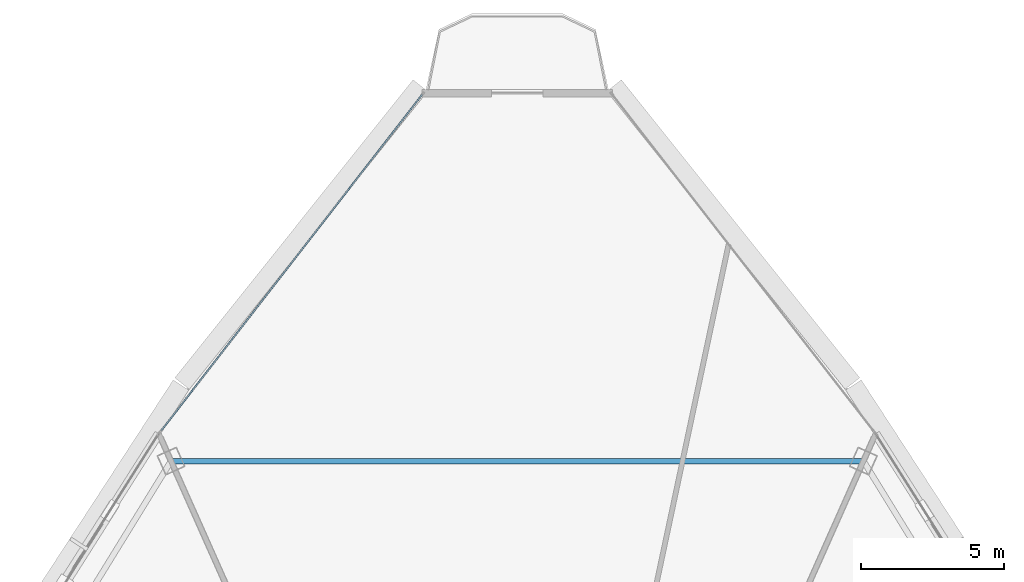
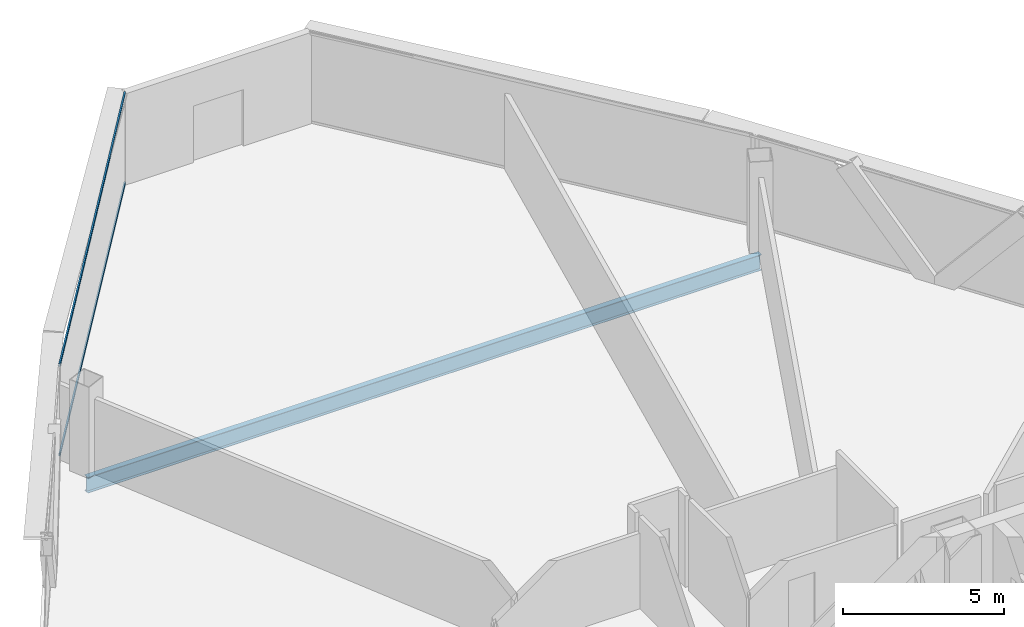
# One storey, part 22 of 33: 2 members, 1 beam, 1 element without a shape of its own.
"""IFC4 building model written with IfcOpenShell, lengths in metres."""

from ifc_helpers import new_model, si_unit, direction, frame, origin, origin_2d, place, context, subcontext, project, spatial, hollow_rectangle, i_section, extrude, source, transform, mapped, material, layer, layer_set, material_profile, profile_set, type_object, element, aggregate, save


model = new_model("IFC4")

# Units and contexts
model_context = context("Model", 3, precision=1e-05, world=origin(), true_north=direction((0.0, 1.0)))
body_context = subcontext(model_context, "Body", "Model", "MODEL_VIEW")
ifc_project = project(units=[si_unit("LENGTHUNIT", "METRE"), si_unit("AREAUNIT", "SQUARE_METRE"), si_unit("VOLUMEUNIT", "CUBIC_METRE"), si_unit("PLANEANGLEUNIT", "RADIAN"), si_unit("MASSUNIT", "GRAM", prefix="KILO"), si_unit("THERMODYNAMICTEMPERATUREUNIT", "KELVIN"), si_unit("POWERUNIT", "WATT")], contexts=[model_context])

# Site, building, storey
site_placement = place(None, origin())
site = spatial("IfcSite", under=ifc_project, at=site_placement, CompositionType="ELEMENT")
building_placement = place(site_placement, origin())
building = spatial("IfcBuilding", under=site, at=building_placement, Name="Yunzhuo Pagoda Commons", CompositionType="ELEMENT")
storey_placement = place(building_placement, frame((0.0, 0.0, 311.1298828125)))
storey = spatial("IfcBuildingStorey", under=building, at=storey_placement, Name="L78", CompositionType="ELEMENT", Elevation=311.1298828125)

# Beam
ifc_material_1 = material(Name="Structural steel Q355B", Category="steel")
ifc_material_profile_1 = material_profile(ifc_material_1, i_section(OverallWidth=0.199951171875, OverallDepth=0.60009765625, WebThickness=0.010986328125, FlangeThickness=0.01708984375, at=origin_2d()), Name="Structural steel Q355B")
ifc_profile_set_1 = profile_set([ifc_material_profile_1], Name="Structural steel Q355B")
beam_type = type_object("IfcBeamType", Name="B-RG3 Beam HN 600x200x11x17", PredefinedType="BEAM", material=ifc_profile_set_1)
shared_shape_1 = source(origin(), body_context, "Body", "SweptSolid", [
    extrude(i_section(OverallWidth=0.199951171875, OverallDepth=0.60009765625, WebThickness=0.010986328125, FlangeThickness=0.01708984375, at=origin_2d()), origin(), (0.0, 0.0, 1.0), 24.228515625),
])
beam_placement = place(storey_placement, frame((60.1142578125, 60.9091796875, -0.559814453125), z_axis=(-1.0, 0.0, 0.0), x_axis=(0.0, -1.0, 0.0)))
element("IfcBeam", 1, at=beam_placement, inside=storey, type_object=beam_type, Name="L78 column-ring beam 8", PredefinedType="BEAM", context=body_context, shape_type="MappedRepresentation", body=[
    mapped(shared_shape_1, transform((0.0, 0.0, 0.0), scale=1.0)),
])

# Curtain wall, members
ifc_material_2 = material(Name="Anodized aluminium 6063-T6", Category="aluminium")
ifc_layer = layer(ifc_material_2, 0.139892578125)
ifc_layer_set = layer_set([ifc_layer], Name="Anodized aluminium 6063-T6")
curtain_wall_type = type_object("IfcCurtainWallType", Name="CW-HI High-Zone Ribbon Curtain Wall", PredefinedType="NOTDEFINED", material=ifc_layer_set)
curtain_wall_placement = place(storey_placement, origin())
curtain_wall = element("IfcCurtainWall", 2, at=curtain_wall_placement, inside=storey, type_object=curtain_wall_type, Name="L78 curtain wall CW-L78-F3B1", PredefinedType="NOTDEFINED")
ifc_material_profile_2 = material_profile(ifc_material_2, hollow_rectangle(XDim=0.054931640625, YDim=0.1201171875, WallThickness=0.00341796875, at=origin_2d()), Name="Anodized aluminium 6063-T6")
ifc_profile_set_2 = profile_set([ifc_material_profile_2], Name="Anodized aluminium 6063-T6")
member_type = type_object("IfcMemberType", Name="CW-HI-T Transom RHS 120x55x3.5", PredefinedType="USERDEFINED", material=ifc_profile_set_2)
shared_shape_2 = source(origin(), body_context, "Body", "SweptSolid", [
    extrude(hollow_rectangle(XDim=0.054931640625, YDim=0.1201171875, WallThickness=0.00341796875, at=origin_2d()), origin(), (0.0, 0.0, 1.0), 14.89453125),
])
member_1_placement = place(storey_placement, frame((44.677490234375, 73.738525390625, 0.027587890625), z_axis=(-0.613382144037, -0.789786265629, 0.0), x_axis=(0.789786265629, -0.613382144037, 0.0)))
member_1 = element("IfcMember", 3, at=member_1_placement, type_object=member_type, Name="CW transom 1.1", ObjectType="TRANSOM", PredefinedType="USERDEFINED", context=body_context, shape_type="MappedRepresentation", body=[
    mapped(shared_shape_2, transform((0.0, 0.0, 0.0), scale=1.0)),
])
member_2_placement = place(storey_placement, frame((44.677490234375, 73.738525390625, 3.442626953125), z_axis=(-0.613382144037, -0.789786265629, 0.0), x_axis=(0.789786265629, -0.613382144037, 0.0)))
member_2 = element("IfcMember", 4, at=member_2_placement, type_object=member_type, Name="CW transom 1.2", ObjectType="TRANSOM", PredefinedType="USERDEFINED", context=body_context, shape_type="MappedRepresentation", body=[
    mapped(shared_shape_2, transform((0.0, 0.0, 0.0), scale=1.0)),
])
aggregate(curtain_wall, [member_1, member_2])

save(model, "model.ifc")
